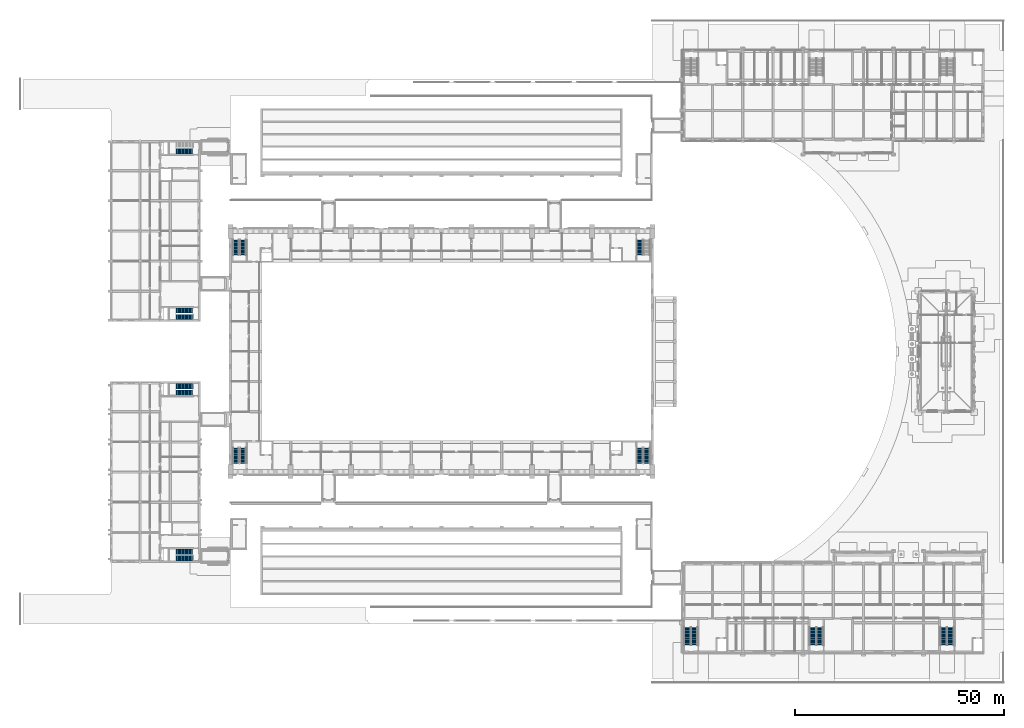
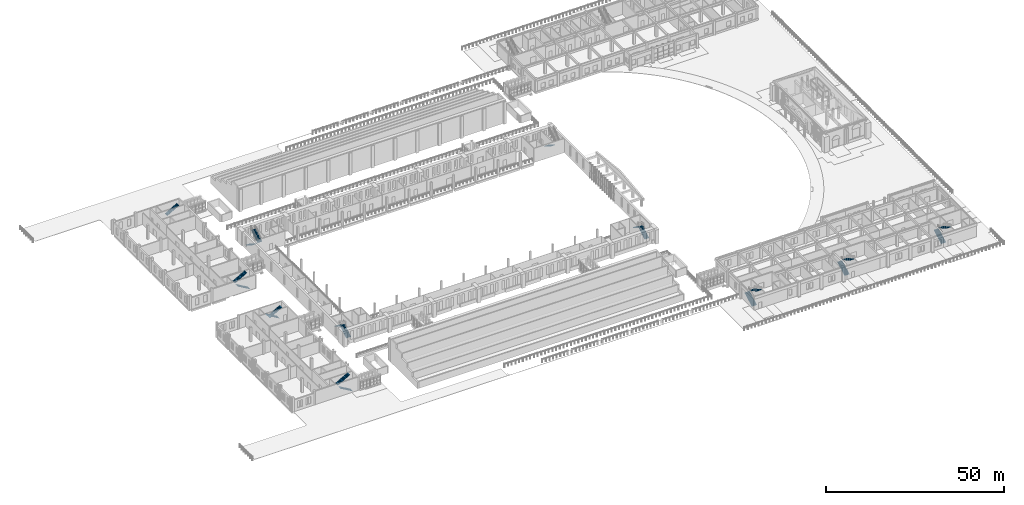
# One storey, part 103 of 131: 20 stair flights, 11 elements without a shape of their own.
"""IFC4 building model written with IfcOpenShell, lengths in metres."""

from ifc_helpers import new_model, si_unit, direction, frame, origin, place, context, subcontext, project, spatial, polyline, outline, extrude, material, type_object, element, aggregate, save


model = new_model("IFC4")

# Units and contexts
model_context = context("Model", 3, precision=1e-05, world=origin(), true_north=direction((0.0, 1.0)))
body_context = subcontext(model_context, "Body", "Model", "MODEL_VIEW")
ifc_project = project(units=[si_unit("LENGTHUNIT", "METRE"), si_unit("AREAUNIT", "SQUARE_METRE"), si_unit("VOLUMEUNIT", "CUBIC_METRE"), si_unit("PLANEANGLEUNIT", "RADIAN"), si_unit("MASSUNIT", "GRAM", prefix="KILO")], contexts=[model_context])

# Site, building, storey
site_placement = place(None, origin())
site = spatial("IfcSite", under=ifc_project, at=site_placement, CompositionType="ELEMENT")
building_placement = place(site_placement, origin())
building = spatial("IfcBuilding", under=site, at=building_placement, Name="Alderwick Market Hall", CompositionType="ELEMENT")
storey_placement = place(building_placement, frame((0.0, 0.0, 4.800048828125)))
storey = spatial("IfcBuildingStorey", under=building, at=storey_placement, Name="L00", CompositionType="ELEMENT", Elevation=4.800048828125)

# Stair, stair flight
ifc_material = material(Name="Concrete 5000 psi (f'c 35 MPa)", Category="concrete")
stair_type_1 = type_object("IfcStairType", Name="B Exit Stair 1300", PredefinedType="TWO_STRAIGHT_RUN_STAIR", material=ifc_material)
stair_1_placement = place(storey_placement, origin())
stair_1 = element("IfcStair", 1, at=stair_1_placement, inside=storey, type_object=stair_type_1, Name="Stair N-1 L00", PredefinedType="TWO_STRAIGHT_RUN_STAIR")
stair_flight_type_1 = type_object("IfcStairFlightType", Name="B Stair Flight 1300", PredefinedType="STRAIGHT", material=ifc_material)
stair_flight_1_placement = place(storey_placement, frame((37.3798828125, 127.0, 2.39990234375), z_axis=(0.0, 0.0, 1.0), x_axis=(1.0, 0.0, 0.0)))
stair_flight_1 = element("IfcStairFlight", 2, at=stair_flight_1_placement, type_object=stair_flight_type_1, Name="B-ST-N-1-L00 flight 2", NumberOfRisers=15, NumberOfTreads=14, PredefinedType="STRAIGHT", RiserHeight=0.16, TreadLength=0.28, context=body_context, shape_type="SweptSolid", body=[
    extrude(outline(polyline([(0.00537109375, -0.009521484375), (0.0, 0.0), (0.0, 0.159912109375), (0.280029296875, 0.159912109375), (0.280029296875, 0.320068359375), (0.56005859375, 0.320068359375), (0.56005859375, 0.47998046875), (0.840087890625, 0.47998046875), (0.840087890625, 0.639892578125), (1.1201171875, 0.639892578125), (1.1201171875, 0.800048828125), (1.39990234375, 0.800048828125), (1.39990234375, 0.9599609375), (1.679931640625, 0.9599609375), (1.679931640625, 1.1201171875), (1.9599609375, 1.1201171875), (1.9599609375, 1.280029296875), (2.239990234375, 1.280029296875), (2.239990234375, 1.43994140625), (2.52001953125, 1.43994140625), (2.52001953125, 1.60009765625), (2.800048828125, 1.60009765625), (2.800048828125, 1.760009765625), (3.080078125, 1.760009765625), (3.080078125, 1.919921875), (3.360107421875, 1.919921875), (3.360107421875, 2.080078125), (3.639892578125, 2.080078125), (3.639892578125, 2.239990234375), (3.919921875, 2.239990234375), (3.919921875, 2.227294921875), (0.00537109375, -0.009521484375)])), frame((0.0, 0.64990234375, 0.0), z_axis=(0.0, -1.0, 0.0), x_axis=(1.0, 0.0, 0.0)), (0.0, 0.0, 1.0), 1.300048828125),
])
aggregate(stair_1, [stair_flight_1])

# Stair, stair flights
stair_2_placement = place(storey_placement, origin())
stair_2 = element("IfcStair", 3, at=stair_2_placement, inside=storey, type_object=stair_type_1, Name="Stair N-2 L00", PredefinedType="TWO_STRAIGHT_RUN_STAIR")
stair_flight_2_placement = place(storey_placement, frame((41.300048828125, 87.449951171875, 0.0), z_axis=(0.0, 0.0, 1.0), x_axis=(-1.0, 0.0, 0.0)))
stair_flight_2 = element("IfcStairFlight", 4, at=stair_flight_2_placement, type_object=stair_flight_type_1, Name="B-ST-N-2-L00 flight 1", NumberOfRisers=15, NumberOfTreads=14, PredefinedType="STRAIGHT", RiserHeight=0.16, TreadLength=0.28, context=body_context, shape_type="SweptSolid", body=[
    extrude(outline(polyline([(0.00537109375, -0.009521484375), (0.0, 0.0), (0.0, 0.159912109375), (0.280029296875, 0.159912109375), (0.280029296875, 0.320068359375), (0.56005859375, 0.320068359375), (0.56005859375, 0.47998046875), (0.840087890625, 0.47998046875), (0.840087890625, 0.639892578125), (1.1201171875, 0.639892578125), (1.1201171875, 0.800048828125), (1.39990234375, 0.800048828125), (1.39990234375, 0.9599609375), (1.679931640625, 0.9599609375), (1.679931640625, 1.1201171875), (1.9599609375, 1.1201171875), (1.9599609375, 1.280029296875), (2.239990234375, 1.280029296875), (2.239990234375, 1.43994140625), (2.52001953125, 1.43994140625), (2.52001953125, 1.60009765625), (2.800048828125, 1.60009765625), (2.800048828125, 1.760009765625), (3.080078125, 1.760009765625), (3.080078125, 1.919921875), (3.360107421875, 1.919921875), (3.360107421875, 2.080078125), (3.639892578125, 2.080078125), (3.639892578125, 2.239990234375), (3.919921875, 2.239990234375), (3.919921875, 2.227294921875), (0.00537109375, -0.009521484375)])), frame((0.0, 0.64990234375, 0.0), z_axis=(0.0, -1.0, 0.0), x_axis=(1.0, 0.0, 0.0)), (0.0, 0.0, 1.0), 1.300048828125),
])
stair_flight_3_placement = place(storey_placement, frame((37.3798828125, 89.0, 2.39990234375), z_axis=(0.0, 0.0, 1.0), x_axis=(1.0, 0.0, 0.0)))
stair_flight_3 = element("IfcStairFlight", 5, at=stair_flight_3_placement, type_object=stair_flight_type_1, Name="B-ST-N-2-L00 flight 2", NumberOfRisers=15, NumberOfTreads=14, PredefinedType="STRAIGHT", RiserHeight=0.16, TreadLength=0.28, context=body_context, shape_type="SweptSolid", body=[
    extrude(outline(polyline([(0.00537109375, -0.009521484375), (0.0, 0.0), (0.0, 0.159912109375), (0.280029296875, 0.159912109375), (0.280029296875, 0.320068359375), (0.56005859375, 0.320068359375), (0.56005859375, 0.47998046875), (0.840087890625, 0.47998046875), (0.840087890625, 0.639892578125), (1.1201171875, 0.639892578125), (1.1201171875, 0.800048828125), (1.39990234375, 0.800048828125), (1.39990234375, 0.9599609375), (1.679931640625, 0.9599609375), (1.679931640625, 1.1201171875), (1.9599609375, 1.1201171875), (1.9599609375, 1.280029296875), (2.239990234375, 1.280029296875), (2.239990234375, 1.43994140625), (2.52001953125, 1.43994140625), (2.52001953125, 1.60009765625), (2.800048828125, 1.60009765625), (2.800048828125, 1.760009765625), (3.080078125, 1.760009765625), (3.080078125, 1.919921875), (3.360107421875, 1.919921875), (3.360107421875, 2.080078125), (3.639892578125, 2.080078125), (3.639892578125, 2.239990234375), (3.919921875, 2.239990234375), (3.919921875, 2.227294921875), (0.00537109375, -0.009521484375)])), frame((0.0, 0.64990234375, 0.0), z_axis=(0.0, -1.0, 0.0), x_axis=(1.0, 0.0, 0.0)), (0.0, 0.0, 1.0), 1.300048828125),
])
aggregate(stair_2, [stair_flight_2, stair_flight_3])

stair_3_placement = place(storey_placement, origin())
stair_3 = element("IfcStair", 6, at=stair_3_placement, inside=storey, type_object=stair_type_1, Name="Stair S-1 L00", PredefinedType="TWO_STRAIGHT_RUN_STAIR")
stair_flight_4_placement = place(storey_placement, frame((41.300048828125, 29.85009765625, 0.0), z_axis=(0.0, 0.0, 1.0), x_axis=(-1.0, 0.0, 0.0)))
stair_flight_4 = element("IfcStairFlight", 7, at=stair_flight_4_placement, type_object=stair_flight_type_1, Name="B-ST-S-1-L00 flight 1", NumberOfRisers=15, NumberOfTreads=14, PredefinedType="STRAIGHT", RiserHeight=0.16, TreadLength=0.28, context=body_context, shape_type="SweptSolid", body=[
    extrude(outline(polyline([(0.00537109375, -0.009521484375), (0.0, 0.0), (0.0, 0.159912109375), (0.280029296875, 0.159912109375), (0.280029296875, 0.320068359375), (0.56005859375, 0.320068359375), (0.56005859375, 0.47998046875), (0.840087890625, 0.47998046875), (0.840087890625, 0.639892578125), (1.1201171875, 0.639892578125), (1.1201171875, 0.800048828125), (1.39990234375, 0.800048828125), (1.39990234375, 0.9599609375), (1.679931640625, 0.9599609375), (1.679931640625, 1.1201171875), (1.9599609375, 1.1201171875), (1.9599609375, 1.280029296875), (2.239990234375, 1.280029296875), (2.239990234375, 1.43994140625), (2.52001953125, 1.43994140625), (2.52001953125, 1.60009765625), (2.800048828125, 1.60009765625), (2.800048828125, 1.760009765625), (3.080078125, 1.760009765625), (3.080078125, 1.919921875), (3.360107421875, 1.919921875), (3.360107421875, 2.080078125), (3.639892578125, 2.080078125), (3.639892578125, 2.239990234375), (3.919921875, 2.239990234375), (3.919921875, 2.227294921875), (0.00537109375, -0.009521484375)])), frame((0.0, 0.64990234375, 0.0), z_axis=(0.0, -1.0, 0.0), x_axis=(1.0, 0.0, 0.0)), (0.0, 0.0, 1.0), 1.300048828125),
])
stair_flight_5_placement = place(storey_placement, frame((37.3798828125, 31.39990234375, 2.39990234375), z_axis=(0.0, 0.0, 1.0), x_axis=(1.0, 0.0, 0.0)))
stair_flight_5 = element("IfcStairFlight", 8, at=stair_flight_5_placement, type_object=stair_flight_type_1, Name="B-ST-S-1-L00 flight 2", NumberOfRisers=15, NumberOfTreads=14, PredefinedType="STRAIGHT", RiserHeight=0.16, TreadLength=0.28, context=body_context, shape_type="SweptSolid", body=[
    extrude(outline(polyline([(0.00537109375, -0.009521484375), (0.0, 0.0), (0.0, 0.159912109375), (0.280029296875, 0.159912109375), (0.280029296875, 0.320068359375), (0.56005859375, 0.320068359375), (0.56005859375, 0.47998046875), (0.840087890625, 0.47998046875), (0.840087890625, 0.639892578125), (1.1201171875, 0.639892578125), (1.1201171875, 0.800048828125), (1.39990234375, 0.800048828125), (1.39990234375, 0.9599609375), (1.679931640625, 0.9599609375), (1.679931640625, 1.1201171875), (1.9599609375, 1.1201171875), (1.9599609375, 1.280029296875), (2.239990234375, 1.280029296875), (2.239990234375, 1.43994140625), (2.52001953125, 1.43994140625), (2.52001953125, 1.60009765625), (2.800048828125, 1.60009765625), (2.800048828125, 1.760009765625), (3.080078125, 1.760009765625), (3.080078125, 1.919921875), (3.360107421875, 1.919921875), (3.360107421875, 2.080078125), (3.639892578125, 2.080078125), (3.639892578125, 2.239990234375), (3.919921875, 2.239990234375), (3.919921875, 2.227294921875), (0.00537109375, -0.009521484375)])), frame((0.0, 0.64990234375, 0.0), z_axis=(0.0, -1.0, 0.0), x_axis=(1.0, 0.0, 0.0)), (0.0, 0.0, 1.0), 1.300048828125),
])
aggregate(stair_3, [stair_flight_4, stair_flight_5])

stair_4_placement = place(storey_placement, origin())
stair_4 = element("IfcStair", 9, at=stair_4_placement, inside=storey, type_object=stair_type_1, Name="Stair S-2 L00", PredefinedType="TWO_STRAIGHT_RUN_STAIR")
stair_flight_6_placement = place(storey_placement, frame((41.300048828125, 70.949951171875, 0.0), z_axis=(0.0, 0.0, 1.0), x_axis=(-1.0, 0.0, 0.0)))
stair_flight_6 = element("IfcStairFlight", 10, at=stair_flight_6_placement, type_object=stair_flight_type_1, Name="B-ST-S-2-L00 flight 1", NumberOfRisers=15, NumberOfTreads=14, PredefinedType="STRAIGHT", RiserHeight=0.16, TreadLength=0.28, context=body_context, shape_type="SweptSolid", body=[
    extrude(outline(polyline([(0.00537109375, -0.009521484375), (0.0, 0.0), (0.0, 0.159912109375), (0.280029296875, 0.159912109375), (0.280029296875, 0.320068359375), (0.56005859375, 0.320068359375), (0.56005859375, 0.47998046875), (0.840087890625, 0.47998046875), (0.840087890625, 0.639892578125), (1.1201171875, 0.639892578125), (1.1201171875, 0.800048828125), (1.39990234375, 0.800048828125), (1.39990234375, 0.9599609375), (1.679931640625, 0.9599609375), (1.679931640625, 1.1201171875), (1.9599609375, 1.1201171875), (1.9599609375, 1.280029296875), (2.239990234375, 1.280029296875), (2.239990234375, 1.43994140625), (2.52001953125, 1.43994140625), (2.52001953125, 1.60009765625), (2.800048828125, 1.60009765625), (2.800048828125, 1.760009765625), (3.080078125, 1.760009765625), (3.080078125, 1.919921875), (3.360107421875, 1.919921875), (3.360107421875, 2.080078125), (3.639892578125, 2.080078125), (3.639892578125, 2.239990234375), (3.919921875, 2.239990234375), (3.919921875, 2.227294921875), (0.00537109375, -0.009521484375)])), frame((0.0, 0.64990234375, 0.0), z_axis=(0.0, -1.0, 0.0), x_axis=(1.0, 0.0, 0.0)), (0.0, 0.0, 1.0), 1.300048828125),
])
stair_flight_7_placement = place(storey_placement, frame((37.3798828125, 69.39990234375, 2.39990234375), z_axis=(0.0, 0.0, 1.0), x_axis=(1.0, 0.0, 0.0)))
stair_flight_7 = element("IfcStairFlight", 11, at=stair_flight_7_placement, type_object=stair_flight_type_1, Name="B-ST-S-2-L00 flight 2", NumberOfRisers=15, NumberOfTreads=14, PredefinedType="STRAIGHT", RiserHeight=0.16, TreadLength=0.28, context=body_context, shape_type="SweptSolid", body=[
    extrude(outline(polyline([(0.00537109375, -0.009521484375), (0.0, 0.0), (0.0, 0.159912109375), (0.280029296875, 0.159912109375), (0.280029296875, 0.320068359375), (0.56005859375, 0.320068359375), (0.56005859375, 0.47998046875), (0.840087890625, 0.47998046875), (0.840087890625, 0.639892578125), (1.1201171875, 0.639892578125), (1.1201171875, 0.800048828125), (1.39990234375, 0.800048828125), (1.39990234375, 0.9599609375), (1.679931640625, 0.9599609375), (1.679931640625, 1.1201171875), (1.9599609375, 1.1201171875), (1.9599609375, 1.280029296875), (2.239990234375, 1.280029296875), (2.239990234375, 1.43994140625), (2.52001953125, 1.43994140625), (2.52001953125, 1.60009765625), (2.800048828125, 1.60009765625), (2.800048828125, 1.760009765625), (3.080078125, 1.760009765625), (3.080078125, 1.919921875), (3.360107421875, 1.919921875), (3.360107421875, 2.080078125), (3.639892578125, 2.080078125), (3.639892578125, 2.239990234375), (3.919921875, 2.239990234375), (3.919921875, 2.227294921875), (0.00537109375, -0.009521484375)])), frame((0.0, 0.64990234375, 0.0), z_axis=(0.0, -1.0, 0.0), x_axis=(1.0, 0.0, 0.0)), (0.0, 0.0, 1.0), 1.300048828125),
])
aggregate(stair_4, [stair_flight_6, stair_flight_7])

stair_type_2 = type_object("IfcStairType", Name="C Exit Stair 1600", PredefinedType="HALF_TURN_STAIR", material=ifc_material)
stair_5_placement = place(storey_placement, origin())
stair_5 = element("IfcStair", 12, at=stair_5_placement, inside=storey, type_object=stair_type_2, Name="C.stair.L00.A", PredefinedType="HALF_TURN_STAIR")
stair_flight_type_2 = type_object("IfcStairFlightType", Name="C Stair Flight 1600", PredefinedType="STRAIGHT", material=ifc_material)
stair_flight_8_placement = place(storey_placement, frame((159.60009765625, 9.10009765625, 0.0), z_axis=(0.0, 0.0, 1.0), x_axis=(0.0, 1.0, 0.0)))
stair_flight_8 = element("IfcStairFlight", 13, at=stair_flight_8_placement, type_object=stair_flight_type_2, Name="C-ST-A-L00 flight 1", NumberOfRisers=16, NumberOfTreads=15, PredefinedType="STRAIGHT", RiserHeight=0.15, TreadLength=0.28, context=body_context, shape_type="SweptSolid", body=[
    extrude(outline(polyline([(0.00830078125, -0.015625), (0.0, 0.0), (0.0, 0.14990234375), (0.280029296875, 0.14990234375), (0.280029296875, 0.300048828125), (0.56005859375, 0.300048828125), (0.56005859375, 0.449951171875), (0.840087890625, 0.449951171875), (0.840087890625, 0.60009765625), (1.1201171875, 0.60009765625), (1.1201171875, 0.75), (1.39990234375, 0.75), (1.39990234375, 0.89990234375), (1.679931640625, 0.89990234375), (1.679931640625, 1.050048828125), (1.9599609375, 1.050048828125), (1.9599609375, 1.199951171875), (2.239990234375, 1.199951171875), (2.239990234375, 1.35009765625), (2.52001953125, 1.35009765625), (2.52001953125, 1.5), (2.800048828125, 1.5), (2.800048828125, 1.64990234375), (3.080078125, 1.64990234375), (3.080078125, 1.800048828125), (3.360107421875, 1.800048828125), (3.360107421875, 1.949951171875), (3.639892578125, 1.949951171875), (3.639892578125, 2.10009765625), (3.919921875, 2.10009765625), (3.919921875, 2.25), (4.199951171875, 2.25), (4.199951171875, 2.22998046875), (0.00830078125, -0.015625)])), frame((0.0, 0.800048828125, 0.0), z_axis=(0.0, -1.0, 0.0), x_axis=(1.0, 0.0, 0.0)), (0.0, 0.0, 1.0), 1.60009765625),
])
stair_flight_9_placement = place(storey_placement, frame((161.199951171875, 13.300048828125, 2.39990234375), z_axis=(0.0, 0.0, 1.0), x_axis=(0.0, -1.0, 0.0)))
stair_flight_9 = element("IfcStairFlight", 14, at=stair_flight_9_placement, type_object=stair_flight_type_2, Name="C-ST-A-L00 flight 2", NumberOfRisers=16, NumberOfTreads=15, PredefinedType="STRAIGHT", RiserHeight=0.15, TreadLength=0.28, context=body_context, shape_type="SweptSolid", body=[
    extrude(outline(polyline([(0.00830078125, -0.015625), (0.0, 0.0), (0.0, 0.14990234375), (0.280029296875, 0.14990234375), (0.280029296875, 0.300048828125), (0.56005859375, 0.300048828125), (0.56005859375, 0.449951171875), (0.840087890625, 0.449951171875), (0.840087890625, 0.60009765625), (1.1201171875, 0.60009765625), (1.1201171875, 0.75), (1.39990234375, 0.75), (1.39990234375, 0.89990234375), (1.679931640625, 0.89990234375), (1.679931640625, 1.050048828125), (1.9599609375, 1.050048828125), (1.9599609375, 1.199951171875), (2.239990234375, 1.199951171875), (2.239990234375, 1.35009765625), (2.52001953125, 1.35009765625), (2.52001953125, 1.5), (2.800048828125, 1.5), (2.800048828125, 1.64990234375), (3.080078125, 1.64990234375), (3.080078125, 1.800048828125), (3.360107421875, 1.800048828125), (3.360107421875, 1.949951171875), (3.639892578125, 1.949951171875), (3.639892578125, 2.10009765625), (3.919921875, 2.10009765625), (3.919921875, 2.25), (4.199951171875, 2.25), (4.199951171875, 2.22998046875), (0.00830078125, -0.015625)])), frame((0.0, 0.800048828125, 0.0), z_axis=(0.0, -1.0, 0.0), x_axis=(1.0, 0.0, 0.0)), (0.0, 0.0, 1.0), 1.60009765625),
])
aggregate(stair_5, [stair_flight_8, stair_flight_9])

stair_6_placement = place(storey_placement, origin())
stair_6 = element("IfcStair", 15, at=stair_6_placement, inside=storey, type_object=stair_type_2, Name="C.stair.L00.B", PredefinedType="HALF_TURN_STAIR")
stair_flight_10_placement = place(storey_placement, frame((189.60009765625, 9.10009765625, 0.0), z_axis=(0.0, 0.0, 1.0), x_axis=(0.0, 1.0, 0.0)))
stair_flight_10 = element("IfcStairFlight", 16, at=stair_flight_10_placement, type_object=stair_flight_type_2, Name="C-ST-B-L00 flight 1", NumberOfRisers=16, NumberOfTreads=15, PredefinedType="STRAIGHT", RiserHeight=0.15, TreadLength=0.28, context=body_context, shape_type="SweptSolid", body=[
    extrude(outline(polyline([(0.00830078125, -0.015625), (0.0, 0.0), (0.0, 0.14990234375), (0.280029296875, 0.14990234375), (0.280029296875, 0.300048828125), (0.56005859375, 0.300048828125), (0.56005859375, 0.449951171875), (0.840087890625, 0.449951171875), (0.840087890625, 0.60009765625), (1.1201171875, 0.60009765625), (1.1201171875, 0.75), (1.39990234375, 0.75), (1.39990234375, 0.89990234375), (1.679931640625, 0.89990234375), (1.679931640625, 1.050048828125), (1.9599609375, 1.050048828125), (1.9599609375, 1.199951171875), (2.239990234375, 1.199951171875), (2.239990234375, 1.35009765625), (2.52001953125, 1.35009765625), (2.52001953125, 1.5), (2.800048828125, 1.5), (2.800048828125, 1.64990234375), (3.080078125, 1.64990234375), (3.080078125, 1.800048828125), (3.360107421875, 1.800048828125), (3.360107421875, 1.949951171875), (3.639892578125, 1.949951171875), (3.639892578125, 2.10009765625), (3.919921875, 2.10009765625), (3.919921875, 2.25), (4.199951171875, 2.25), (4.199951171875, 2.22998046875), (0.00830078125, -0.015625)])), frame((0.0, 0.800048828125, 0.0), z_axis=(0.0, -1.0, 0.0), x_axis=(1.0, 0.0, 0.0)), (0.0, 0.0, 1.0), 1.60009765625),
])
stair_flight_11_placement = place(storey_placement, frame((191.199951171875, 13.300048828125, 2.39990234375), z_axis=(0.0, 0.0, 1.0), x_axis=(0.0, -1.0, 0.0)))
stair_flight_11 = element("IfcStairFlight", 17, at=stair_flight_11_placement, type_object=stair_flight_type_2, Name="C-ST-B-L00 flight 2", NumberOfRisers=16, NumberOfTreads=15, PredefinedType="STRAIGHT", RiserHeight=0.15, TreadLength=0.28, context=body_context, shape_type="SweptSolid", body=[
    extrude(outline(polyline([(0.00830078125, -0.015625), (0.0, 0.0), (0.0, 0.14990234375), (0.280029296875, 0.14990234375), (0.280029296875, 0.300048828125), (0.56005859375, 0.300048828125), (0.56005859375, 0.449951171875), (0.840087890625, 0.449951171875), (0.840087890625, 0.60009765625), (1.1201171875, 0.60009765625), (1.1201171875, 0.75), (1.39990234375, 0.75), (1.39990234375, 0.89990234375), (1.679931640625, 0.89990234375), (1.679931640625, 1.050048828125), (1.9599609375, 1.050048828125), (1.9599609375, 1.199951171875), (2.239990234375, 1.199951171875), (2.239990234375, 1.35009765625), (2.52001953125, 1.35009765625), (2.52001953125, 1.5), (2.800048828125, 1.5), (2.800048828125, 1.64990234375), (3.080078125, 1.64990234375), (3.080078125, 1.800048828125), (3.360107421875, 1.800048828125), (3.360107421875, 1.949951171875), (3.639892578125, 1.949951171875), (3.639892578125, 2.10009765625), (3.919921875, 2.10009765625), (3.919921875, 2.25), (4.199951171875, 2.25), (4.199951171875, 2.22998046875), (0.00830078125, -0.015625)])), frame((0.0, 0.800048828125, 0.0), z_axis=(0.0, -1.0, 0.0), x_axis=(1.0, 0.0, 0.0)), (0.0, 0.0, 1.0), 1.60009765625),
])
aggregate(stair_6, [stair_flight_10, stair_flight_11])

stair_7_placement = place(storey_placement, origin())
stair_7 = element("IfcStair", 18, at=stair_7_placement, inside=storey, type_object=stair_type_2, Name="C.stair.L00.C", PredefinedType="HALF_TURN_STAIR")
stair_flight_12_placement = place(storey_placement, frame((220.800048828125, 9.10009765625, 0.0), z_axis=(0.0, 0.0, 1.0), x_axis=(0.0, 1.0, 0.0)))
stair_flight_12 = element("IfcStairFlight", 19, at=stair_flight_12_placement, type_object=stair_flight_type_2, Name="C-ST-C-L00 flight 1", NumberOfRisers=16, NumberOfTreads=15, PredefinedType="STRAIGHT", RiserHeight=0.15, TreadLength=0.28, context=body_context, shape_type="SweptSolid", body=[
    extrude(outline(polyline([(0.00830078125, -0.015625), (0.0, 0.0), (0.0, 0.14990234375), (0.280029296875, 0.14990234375), (0.280029296875, 0.300048828125), (0.56005859375, 0.300048828125), (0.56005859375, 0.449951171875), (0.840087890625, 0.449951171875), (0.840087890625, 0.60009765625), (1.1201171875, 0.60009765625), (1.1201171875, 0.75), (1.39990234375, 0.75), (1.39990234375, 0.89990234375), (1.679931640625, 0.89990234375), (1.679931640625, 1.050048828125), (1.9599609375, 1.050048828125), (1.9599609375, 1.199951171875), (2.239990234375, 1.199951171875), (2.239990234375, 1.35009765625), (2.52001953125, 1.35009765625), (2.52001953125, 1.5), (2.800048828125, 1.5), (2.800048828125, 1.64990234375), (3.080078125, 1.64990234375), (3.080078125, 1.800048828125), (3.360107421875, 1.800048828125), (3.360107421875, 1.949951171875), (3.639892578125, 1.949951171875), (3.639892578125, 2.10009765625), (3.919921875, 2.10009765625), (3.919921875, 2.25), (4.199951171875, 2.25), (4.199951171875, 2.22998046875), (0.00830078125, -0.015625)])), frame((0.0, 0.800048828125, 0.0), z_axis=(0.0, -1.0, 0.0), x_axis=(1.0, 0.0, 0.0)), (0.0, 0.0, 1.0), 1.60009765625),
])
stair_flight_13_placement = place(storey_placement, frame((222.39990234375, 13.300048828125, 2.39990234375), z_axis=(0.0, 0.0, 1.0), x_axis=(0.0, -1.0, 0.0)))
stair_flight_13 = element("IfcStairFlight", 20, at=stair_flight_13_placement, type_object=stair_flight_type_2, Name="C-ST-C-L00 flight 2", NumberOfRisers=16, NumberOfTreads=15, PredefinedType="STRAIGHT", RiserHeight=0.15, TreadLength=0.28, context=body_context, shape_type="SweptSolid", body=[
    extrude(outline(polyline([(0.00830078125, -0.015625), (0.0, 0.0), (0.0, 0.14990234375), (0.280029296875, 0.14990234375), (0.280029296875, 0.300048828125), (0.56005859375, 0.300048828125), (0.56005859375, 0.449951171875), (0.840087890625, 0.449951171875), (0.840087890625, 0.60009765625), (1.1201171875, 0.60009765625), (1.1201171875, 0.75), (1.39990234375, 0.75), (1.39990234375, 0.89990234375), (1.679931640625, 0.89990234375), (1.679931640625, 1.050048828125), (1.9599609375, 1.050048828125), (1.9599609375, 1.199951171875), (2.239990234375, 1.199951171875), (2.239990234375, 1.35009765625), (2.52001953125, 1.35009765625), (2.52001953125, 1.5), (2.800048828125, 1.5), (2.800048828125, 1.64990234375), (3.080078125, 1.64990234375), (3.080078125, 1.800048828125), (3.360107421875, 1.800048828125), (3.360107421875, 1.949951171875), (3.639892578125, 1.949951171875), (3.639892578125, 2.10009765625), (3.919921875, 2.10009765625), (3.919921875, 2.25), (4.199951171875, 2.25), (4.199951171875, 2.22998046875), (0.00830078125, -0.015625)])), frame((0.0, 0.800048828125, 0.0), z_axis=(0.0, -1.0, 0.0), x_axis=(1.0, 0.0, 0.0)), (0.0, 0.0, 1.0), 1.60009765625),
])
aggregate(stair_7, [stair_flight_12, stair_flight_13])

stair_type_3 = type_object("IfcStairType", Name="H Stair 1500", PredefinedType="HALF_TURN_STAIR", material=ifc_material)
stair_8_placement = place(storey_placement, origin())
stair_8 = element("IfcStair", 21, at=stair_8_placement, inside=storey, type_object=stair_type_3, Name="L00 Exit stair H-SW", PredefinedType="HALF_TURN_STAIR")
stair_flight_type_3 = type_object("IfcStairFlightType", Name="H Stair flight 1500", PredefinedType="STRAIGHT", material=ifc_material)
stair_flight_14_placement = place(storey_placement, frame((53.39990234375, 52.5, 0.0), z_axis=(0.0, 0.0, 1.0), x_axis=(0.0, 1.0, 0.0)))
stair_flight_14 = element("IfcStairFlight", 22, at=stair_flight_14_placement, type_object=stair_flight_type_3, Name="H-SW flight 1", NumberOfRisers=14, NumberOfTreads=13, PredefinedType="STRAIGHT", RiserHeight=0.171428571, TreadLength=0.28, context=body_context, shape_type="SweptSolid", body=[
    extrude(outline(polyline([(0.001953125, -0.003173828125), (0.0, 0.0), (0.0, 0.17138671875), (0.280029296875, 0.17138671875), (0.280029296875, 0.3427734375), (0.56005859375, 0.3427734375), (0.56005859375, 0.514404296875), (0.840087890625, 0.514404296875), (0.840087890625, 0.685791015625), (1.1201171875, 0.685791015625), (1.1201171875, 0.857177734375), (1.39990234375, 0.857177734375), (1.39990234375, 1.028564453125), (1.679931640625, 1.028564453125), (1.679931640625, 1.199951171875), (1.9599609375, 1.199951171875), (1.9599609375, 1.371337890625), (2.239990234375, 1.371337890625), (2.239990234375, 1.54296875), (2.52001953125, 1.54296875), (2.52001953125, 1.71435546875), (2.800048828125, 1.71435546875), (2.800048828125, 1.8857421875), (3.080078125, 1.8857421875), (3.080078125, 2.05712890625), (3.360107421875, 2.05712890625), (3.360107421875, 2.228515625), (3.639892578125, 2.228515625), (3.639892578125, 2.22412109375), (0.001953125, -0.003173828125)])), frame((0.0, 0.75, 0.0), z_axis=(0.0, -1.0, 0.0), x_axis=(1.0, 0.0, 0.0)), (0.0, 0.0, 1.0), 1.5),
])
stair_flight_15_placement = place(storey_placement, frame((51.75, 56.139892578125, 2.39990234375), z_axis=(0.0, 0.0, 1.0), x_axis=(0.0, -1.0, 0.0)))
stair_flight_15 = element("IfcStairFlight", 23, at=stair_flight_15_placement, type_object=stair_flight_type_3, Name="H-SW flight 2", NumberOfRisers=14, NumberOfTreads=13, PredefinedType="STRAIGHT", RiserHeight=0.171428571, TreadLength=0.28, context=body_context, shape_type="SweptSolid", body=[
    extrude(outline(polyline([(0.001953125, -0.003173828125), (0.0, 0.0), (0.0, 0.17138671875), (0.280029296875, 0.17138671875), (0.280029296875, 0.3427734375), (0.56005859375, 0.3427734375), (0.56005859375, 0.514404296875), (0.840087890625, 0.514404296875), (0.840087890625, 0.685791015625), (1.1201171875, 0.685791015625), (1.1201171875, 0.857177734375), (1.39990234375, 0.857177734375), (1.39990234375, 1.028564453125), (1.679931640625, 1.028564453125), (1.679931640625, 1.199951171875), (1.9599609375, 1.199951171875), (1.9599609375, 1.371337890625), (2.239990234375, 1.371337890625), (2.239990234375, 1.54296875), (2.52001953125, 1.54296875), (2.52001953125, 1.71435546875), (2.800048828125, 1.71435546875), (2.800048828125, 1.8857421875), (3.080078125, 1.8857421875), (3.080078125, 2.05712890625), (3.360107421875, 2.05712890625), (3.360107421875, 2.228515625), (3.639892578125, 2.228515625), (3.639892578125, 2.22412109375), (0.001953125, -0.003173828125)])), frame((0.0, 0.75, 0.0), z_axis=(0.0, -1.0, 0.0), x_axis=(1.0, 0.0, 0.0)), (0.0, 0.0, 1.0), 1.5),
])
aggregate(stair_8, [stair_flight_14, stair_flight_15])

stair_9_placement = place(storey_placement, origin())
stair_9 = element("IfcStair", 24, at=stair_9_placement, inside=storey, type_object=stair_type_3, Name="L00 Exit stair H-NW", PredefinedType="HALF_TURN_STAIR")
stair_flight_16_placement = place(storey_placement, frame((51.75, 105.89990234375, 0.0), z_axis=(0.0, 0.0, 1.0), x_axis=(0.0, -1.0, 0.0)))
stair_flight_16 = element("IfcStairFlight", 25, at=stair_flight_16_placement, type_object=stair_flight_type_3, Name="H-NW flight 1", NumberOfRisers=14, NumberOfTreads=13, PredefinedType="STRAIGHT", RiserHeight=0.171428571, TreadLength=0.28, context=body_context, shape_type="SweptSolid", body=[
    extrude(outline(polyline([(0.001953125, -0.003173828125), (0.0, 0.0), (0.0, 0.17138671875), (0.280029296875, 0.17138671875), (0.280029296875, 0.3427734375), (0.56005859375, 0.3427734375), (0.56005859375, 0.514404296875), (0.840087890625, 0.514404296875), (0.840087890625, 0.685791015625), (1.1201171875, 0.685791015625), (1.1201171875, 0.857177734375), (1.39990234375, 0.857177734375), (1.39990234375, 1.028564453125), (1.679931640625, 1.028564453125), (1.679931640625, 1.199951171875), (1.9599609375, 1.199951171875), (1.9599609375, 1.371337890625), (2.239990234375, 1.371337890625), (2.239990234375, 1.54296875), (2.52001953125, 1.54296875), (2.52001953125, 1.71435546875), (2.800048828125, 1.71435546875), (2.800048828125, 1.8857421875), (3.080078125, 1.8857421875), (3.080078125, 2.05712890625), (3.360107421875, 2.05712890625), (3.360107421875, 2.228515625), (3.639892578125, 2.228515625), (3.639892578125, 2.22412109375), (0.001953125, -0.003173828125)])), frame((0.0, 0.75, 0.0), z_axis=(0.0, -1.0, 0.0), x_axis=(1.0, 0.0, 0.0)), (0.0, 0.0, 1.0), 1.5),
])
stair_flight_17_placement = place(storey_placement, frame((53.39990234375, 102.260009765625, 2.39990234375), z_axis=(0.0, 0.0, 1.0), x_axis=(0.0, 1.0, 0.0)))
stair_flight_17 = element("IfcStairFlight", 26, at=stair_flight_17_placement, type_object=stair_flight_type_3, Name="H-NW flight 2", NumberOfRisers=14, NumberOfTreads=13, PredefinedType="STRAIGHT", RiserHeight=0.171428571, TreadLength=0.28, context=body_context, shape_type="SweptSolid", body=[
    extrude(outline(polyline([(0.001953125, -0.003173828125), (0.0, 0.0), (0.0, 0.17138671875), (0.280029296875, 0.17138671875), (0.280029296875, 0.3427734375), (0.56005859375, 0.3427734375), (0.56005859375, 0.514404296875), (0.840087890625, 0.514404296875), (0.840087890625, 0.685791015625), (1.1201171875, 0.685791015625), (1.1201171875, 0.857177734375), (1.39990234375, 0.857177734375), (1.39990234375, 1.028564453125), (1.679931640625, 1.028564453125), (1.679931640625, 1.199951171875), (1.9599609375, 1.199951171875), (1.9599609375, 1.371337890625), (2.239990234375, 1.371337890625), (2.239990234375, 1.54296875), (2.52001953125, 1.54296875), (2.52001953125, 1.71435546875), (2.800048828125, 1.71435546875), (2.800048828125, 1.8857421875), (3.080078125, 1.8857421875), (3.080078125, 2.05712890625), (3.360107421875, 2.05712890625), (3.360107421875, 2.228515625), (3.639892578125, 2.228515625), (3.639892578125, 2.22412109375), (0.001953125, -0.003173828125)])), frame((0.0, 0.75, 0.0), z_axis=(0.0, -1.0, 0.0), x_axis=(1.0, 0.0, 0.0)), (0.0, 0.0, 1.0), 1.5),
])
aggregate(stair_9, [stair_flight_16, stair_flight_17])

stair_10_placement = place(storey_placement, origin())
stair_10 = element("IfcStair", 27, at=stair_10_placement, inside=storey, type_object=stair_type_3, Name="L00 Exit stair H-SE", PredefinedType="HALF_TURN_STAIR")
stair_flight_18_placement = place(storey_placement, frame((149.85009765625, 52.5, 0.0), z_axis=(0.0, 0.0, 1.0), x_axis=(0.0, 1.0, 0.0)))
stair_flight_18 = element("IfcStairFlight", 28, at=stair_flight_18_placement, type_object=stair_flight_type_3, Name="H-SE flight 1", NumberOfRisers=14, NumberOfTreads=13, PredefinedType="STRAIGHT", RiserHeight=0.171428571, TreadLength=0.28, context=body_context, shape_type="SweptSolid", body=[
    extrude(outline(polyline([(0.001953125, -0.003173828125), (0.0, 0.0), (0.0, 0.17138671875), (0.280029296875, 0.17138671875), (0.280029296875, 0.3427734375), (0.56005859375, 0.3427734375), (0.56005859375, 0.514404296875), (0.840087890625, 0.514404296875), (0.840087890625, 0.685791015625), (1.1201171875, 0.685791015625), (1.1201171875, 0.857177734375), (1.39990234375, 0.857177734375), (1.39990234375, 1.028564453125), (1.679931640625, 1.028564453125), (1.679931640625, 1.199951171875), (1.9599609375, 1.199951171875), (1.9599609375, 1.371337890625), (2.239990234375, 1.371337890625), (2.239990234375, 1.54296875), (2.52001953125, 1.54296875), (2.52001953125, 1.71435546875), (2.800048828125, 1.71435546875), (2.800048828125, 1.8857421875), (3.080078125, 1.8857421875), (3.080078125, 2.05712890625), (3.360107421875, 2.05712890625), (3.360107421875, 2.228515625), (3.639892578125, 2.228515625), (3.639892578125, 2.22412109375), (0.001953125, -0.003173828125)])), frame((0.0, 0.75, 0.0), z_axis=(0.0, -1.0, 0.0), x_axis=(1.0, 0.0, 0.0)), (0.0, 0.0, 1.0), 1.5),
])
stair_flight_19_placement = place(storey_placement, frame((148.199951171875, 56.139892578125, 2.39990234375), z_axis=(0.0, 0.0, 1.0), x_axis=(0.0, -1.0, 0.0)))
stair_flight_19 = element("IfcStairFlight", 29, at=stair_flight_19_placement, type_object=stair_flight_type_3, Name="H-SE flight 2", NumberOfRisers=14, NumberOfTreads=13, PredefinedType="STRAIGHT", RiserHeight=0.171428571, TreadLength=0.28, context=body_context, shape_type="SweptSolid", body=[
    extrude(outline(polyline([(0.001953125, -0.003173828125), (0.0, 0.0), (0.0, 0.17138671875), (0.280029296875, 0.17138671875), (0.280029296875, 0.3427734375), (0.56005859375, 0.3427734375), (0.56005859375, 0.514404296875), (0.840087890625, 0.514404296875), (0.840087890625, 0.685791015625), (1.1201171875, 0.685791015625), (1.1201171875, 0.857177734375), (1.39990234375, 0.857177734375), (1.39990234375, 1.028564453125), (1.679931640625, 1.028564453125), (1.679931640625, 1.199951171875), (1.9599609375, 1.199951171875), (1.9599609375, 1.371337890625), (2.239990234375, 1.371337890625), (2.239990234375, 1.54296875), (2.52001953125, 1.54296875), (2.52001953125, 1.71435546875), (2.800048828125, 1.71435546875), (2.800048828125, 1.8857421875), (3.080078125, 1.8857421875), (3.080078125, 2.05712890625), (3.360107421875, 2.05712890625), (3.360107421875, 2.228515625), (3.639892578125, 2.228515625), (3.639892578125, 2.22412109375), (0.001953125, -0.003173828125)])), frame((0.0, 0.75, 0.0), z_axis=(0.0, -1.0, 0.0), x_axis=(1.0, 0.0, 0.0)), (0.0, 0.0, 1.0), 1.5),
])
aggregate(stair_10, [stair_flight_18, stair_flight_19])

# Stair, stair flight
stair_11_placement = place(storey_placement, origin())
stair_11 = element("IfcStair", 30, at=stair_11_placement, inside=storey, type_object=stair_type_3, Name="L00 Exit stair H-NE", PredefinedType="HALF_TURN_STAIR")
stair_flight_20_placement = place(storey_placement, frame((148.199951171875, 105.89990234375, 0.0), z_axis=(0.0, 0.0, 1.0), x_axis=(0.0, -1.0, 0.0)))
stair_flight_20 = element("IfcStairFlight", 31, at=stair_flight_20_placement, type_object=stair_flight_type_3, Name="H-NE flight 1", NumberOfRisers=14, NumberOfTreads=13, PredefinedType="STRAIGHT", RiserHeight=0.171428571, TreadLength=0.28, context=body_context, shape_type="SweptSolid", body=[
    extrude(outline(polyline([(0.001953125, -0.003173828125), (0.0, 0.0), (0.0, 0.17138671875), (0.280029296875, 0.17138671875), (0.280029296875, 0.3427734375), (0.56005859375, 0.3427734375), (0.56005859375, 0.514404296875), (0.840087890625, 0.514404296875), (0.840087890625, 0.685791015625), (1.1201171875, 0.685791015625), (1.1201171875, 0.857177734375), (1.39990234375, 0.857177734375), (1.39990234375, 1.028564453125), (1.679931640625, 1.028564453125), (1.679931640625, 1.199951171875), (1.9599609375, 1.199951171875), (1.9599609375, 1.371337890625), (2.239990234375, 1.371337890625), (2.239990234375, 1.54296875), (2.52001953125, 1.54296875), (2.52001953125, 1.71435546875), (2.800048828125, 1.71435546875), (2.800048828125, 1.8857421875), (3.080078125, 1.8857421875), (3.080078125, 2.05712890625), (3.360107421875, 2.05712890625), (3.360107421875, 2.228515625), (3.639892578125, 2.228515625), (3.639892578125, 2.22412109375), (0.001953125, -0.003173828125)])), frame((0.0, 0.75, 0.0), z_axis=(0.0, -1.0, 0.0), x_axis=(1.0, 0.0, 0.0)), (0.0, 0.0, 1.0), 1.5),
])
aggregate(stair_11, [stair_flight_20])

save(model, "model.ifc")
